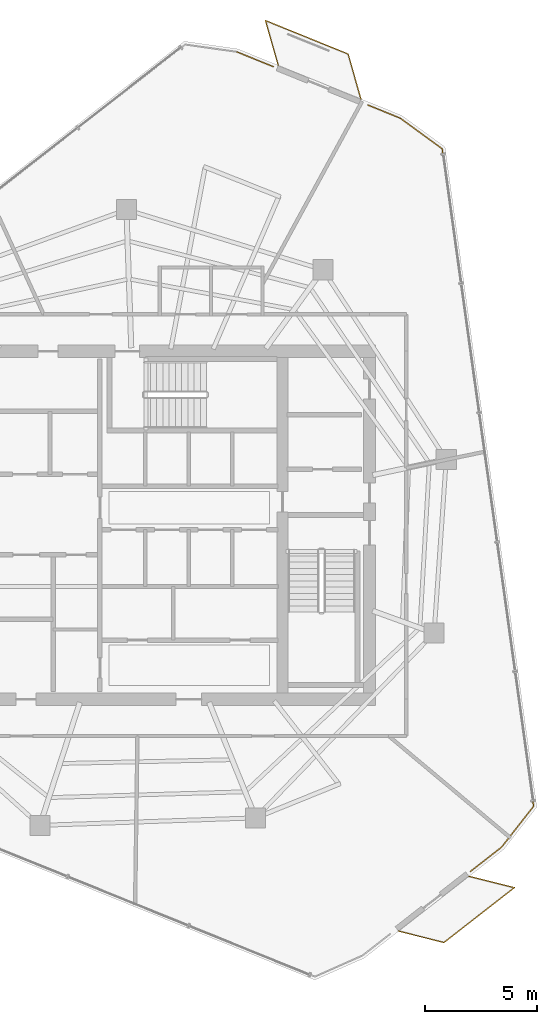
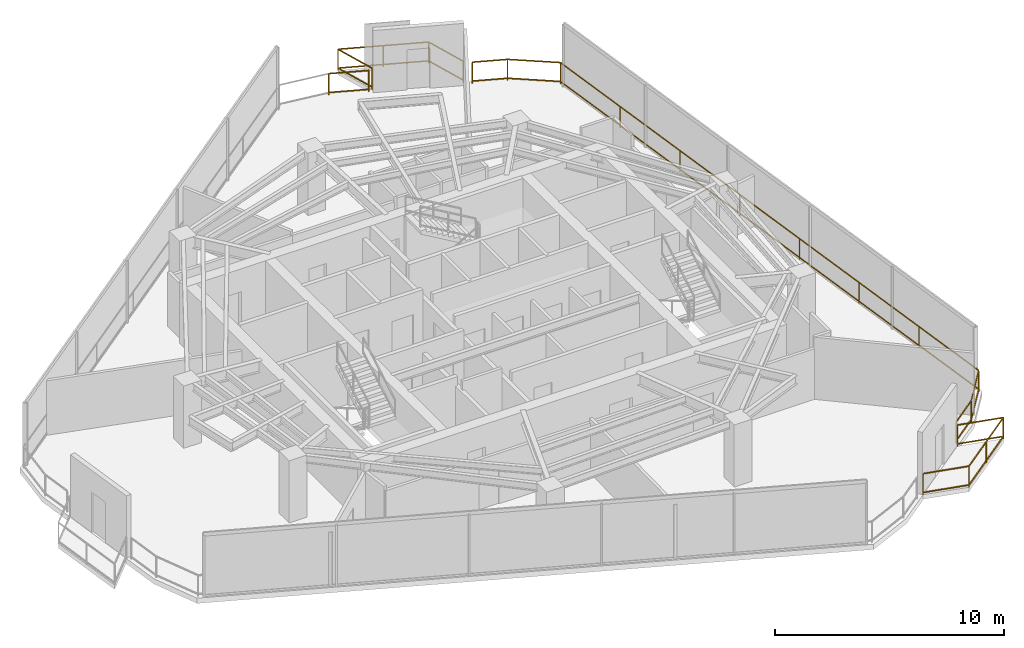
# One storey, part 19 of 19: 4 railings.
"""IFC4 building model written with IfcOpenShell, lengths in metres."""

from ifc_helpers import new_model, si_unit, direction, frame, origin, origin_2d, place, context, subcontext, project, spatial, rectangle, extrude, material, type_object, element, save


model = new_model("IFC4")

# Units and contexts
model_context = context("Model", 3, precision=1e-05, world=origin(), true_north=direction((0.0, 1.0)))
body_context = subcontext(model_context, "Body", "Model", "MODEL_VIEW")
ifc_project = project(units=[si_unit("LENGTHUNIT", "METRE"), si_unit("AREAUNIT", "SQUARE_METRE"), si_unit("VOLUMEUNIT", "CUBIC_METRE"), si_unit("PLANEANGLEUNIT", "RADIAN"), si_unit("MASSUNIT", "GRAM", prefix="KILO")], contexts=[model_context])

# Site, building, storey
site_placement = place(None, origin())
site = spatial("IfcSite", under=ifc_project, at=site_placement, CompositionType="ELEMENT")
building_placement = place(site_placement, origin())
building = spatial("IfcBuilding", under=site, at=building_placement, Name="Qarnah Convention Tower", CompositionType="ELEMENT")
storey_placement = place(building_placement, frame((0.0, 0.0, 209.39990234375)))
storey = spatial("IfcBuildingStorey", under=building, at=storey_placement, Name="L56", CompositionType="ELEMENT", Elevation=209.39990234375)

# Railings
ifc_material = material(Name="Black anodised aluminium", Category="aluminium")
railing_type = type_object("IfcRailingType", Name="RL-EXT-GUARD-1150", PredefinedType="GUARDRAIL", material=ifc_material)
railing_1_placement = place(storey_placement, frame((41.652099609375, 47.614990234375, 0.0)))
element("IfcRailing", 1, at=railing_1_placement, inside=storey, type_object=railing_type, Name="L56 slab-edge perimeter safety guard 01", PredefinedType="GUARDRAIL", context=body_context, shape_type="SweptSolid", body=[
    extrude(rectangle(XDim=0.048095703125, YDim=0.048095703125, at=origin_2d()), frame((0.0, 0.0, 1.1259765625), z_axis=(0.926607291266, -0.376030487823, 0.0), x_axis=(0.376030487823, 0.926607291266, 0.0)), (0.0, 0.0, 1.0), 1.7763671875),
    extrude(rectangle(XDim=0.048095703125, YDim=0.048095703125, at=origin_2d()), frame((0.0, 0.0, 0.1201171875), z_axis=(0.926607291266, -0.376030487823, 0.0), x_axis=(0.376030487823, 0.926607291266, 0.0)), (0.0, 0.0, 1.0), 1.7763671875),
    extrude(rectangle(XDim=0.0419921875, YDim=0.0419921875, at=origin_2d()), origin(), (0.0, 0.0, 1.0), 1.101806640625),
    extrude(rectangle(XDim=0.0419921875, YDim=0.0419921875, at=origin_2d()), frame((1.64599609375, -0.66796875, 0.0)), (0.0, 0.0, 1.0), 1.101806640625),
])
railing_2_placement = place(storey_placement, frame((47.52294921875, 45.23291015625, 0.0)))
element("IfcRailing", 2, at=railing_2_placement, inside=storey, type_object=railing_type, Name="L56 slab-edge perimeter safety guard 02", PredefinedType="GUARDRAIL", context=body_context, shape_type="SweptSolid", body=[
    extrude(rectangle(XDim=0.048095703125, YDim=0.048095703125, at=origin_2d()), frame((0.0, 0.0, 1.1259765625), z_axis=(0.926723115144, -0.375744950542, 0.0), x_axis=(0.375744950542, 0.926723115144, 0.0)), (0.0, 0.0, 1.0), 1.564697265625),
    extrude(rectangle(XDim=0.048095703125, YDim=0.048095703125, at=origin_2d()), frame((0.0, 0.0, 0.1201171875), z_axis=(0.926723115144, -0.375744950542, 0.0), x_axis=(0.375744950542, 0.926723115144, 0.0)), (0.0, 0.0, 1.0), 1.564697265625),
    extrude(rectangle(XDim=0.048095703125, YDim=0.048095703125, at=origin_2d()), frame((1.449951171875, -0.587890625, 1.1259765625), z_axis=(0.808446351309, -0.588569874403, 0.0), x_axis=(0.588569874403, 0.808446351309, 0.0)), (0.0, 0.0, 1.0), 2.332763671875),
    extrude(rectangle(XDim=0.048095703125, YDim=0.048095703125, at=origin_2d()), frame((1.449951171875, -0.587890625, 0.1201171875), z_axis=(0.808446351309, -0.588569874403, 0.0), x_axis=(0.588569874403, 0.808446351309, 0.0)), (0.0, 0.0, 1.0), 2.332763671875),
    extrude(rectangle(XDim=0.048095703125, YDim=0.048095703125, at=origin_2d()), frame((3.3359375, -1.9609375, 1.1259765625), z_axis=(0.137764024451, -0.990465079428, 0.0), x_axis=(0.990465079428, 0.137764024451, 0.0)), (0.0, 0.0, 1.0), 29.754638671875),
    extrude(rectangle(XDim=0.048095703125, YDim=0.048095703125, at=origin_2d()), frame((3.3359375, -1.9609375, 0.1201171875), z_axis=(0.137764024451, -0.990465079428, 0.0), x_axis=(0.990465079428, 0.137764024451, 0.0)), (0.0, 0.0, 1.0), 29.754638671875),
    extrude(rectangle(XDim=0.048095703125, YDim=0.048095703125, at=origin_2d()), frame((7.43505859375, -31.431884765625, 1.1259765625), z_axis=(-0.616618721827, -0.787261933471, 0.0), x_axis=(0.787261933471, -0.616618721827, 0.0)), (0.0, 0.0, 1.0), 2.33203125),
    extrude(rectangle(XDim=0.048095703125, YDim=0.048095703125, at=origin_2d()), frame((7.43505859375, -31.431884765625, 0.1201171875), z_axis=(-0.616618721827, -0.787261933471, 0.0), x_axis=(0.787261933471, -0.616618721827, 0.0)), (0.0, 0.0, 1.0), 2.33203125),
    extrude(rectangle(XDim=0.048095703125, YDim=0.048095703125, at=origin_2d()), frame((5.9970703125, -33.267822265625, 1.1259765625), z_axis=(-0.788730190995, -0.614739526803, 0.0), x_axis=(0.614739526803, -0.788730190995, 0.0)), (0.0, 0.0, 1.0), 1.7763671875),
    extrude(rectangle(XDim=0.048095703125, YDim=0.048095703125, at=origin_2d()), frame((5.9970703125, -33.267822265625, 0.1201171875), z_axis=(-0.788730190995, -0.614739526803, 0.0), x_axis=(0.614739526803, -0.788730190995, 0.0)), (0.0, 0.0, 1.0), 1.7763671875),
    extrude(rectangle(XDim=0.0419921875, YDim=0.0419921875, at=origin_2d()), origin(), (0.0, 0.0, 1.0), 1.101806640625),
    extrude(rectangle(XDim=0.0419921875, YDim=0.0419921875, at=origin_2d()), frame((1.449951171875, -0.587890625, 0.0)), (0.0, 0.0, 1.0), 1.101806640625),
    extrude(rectangle(XDim=0.0419921875, YDim=0.0419921875, at=origin_2d()), frame((3.3359375, -1.9609375, 0.0)), (0.0, 0.0, 1.0), 1.101806640625),
    extrude(rectangle(XDim=0.0419921875, YDim=0.0419921875, at=origin_2d()), frame((3.921630859375, -6.171142578125, 0.0)), (0.0, 0.0, 1.0), 1.101806640625),
    extrude(rectangle(XDim=0.0419921875, YDim=0.0419921875, at=origin_2d()), frame((4.507080078125, -10.381103515625, 0.0)), (0.0, 0.0, 1.0), 1.101806640625),
    extrude(rectangle(XDim=0.0419921875, YDim=0.0419921875, at=origin_2d()), frame((5.0927734375, -14.59130859375, 0.0)), (0.0, 0.0, 1.0), 1.101806640625),
    extrude(rectangle(XDim=0.0419921875, YDim=0.0419921875, at=origin_2d()), frame((5.67822265625, -18.801513671875, 0.0)), (0.0, 0.0, 1.0), 1.101806640625),
    extrude(rectangle(XDim=0.0419921875, YDim=0.0419921875, at=origin_2d()), frame((6.263916015625, -23.01171875, 0.0)), (0.0, 0.0, 1.0), 1.101806640625),
    extrude(rectangle(XDim=0.0419921875, YDim=0.0419921875, at=origin_2d()), frame((6.849365234375, -27.2216796875, 0.0)), (0.0, 0.0, 1.0), 1.101806640625),
    extrude(rectangle(XDim=0.0419921875, YDim=0.0419921875, at=origin_2d()), frame((7.43505859375, -31.431884765625, 0.0)), (0.0, 0.0, 1.0), 1.101806640625),
    extrude(rectangle(XDim=0.0419921875, YDim=0.0419921875, at=origin_2d()), frame((5.9970703125, -33.267822265625, 0.0)), (0.0, 0.0, 1.0), 1.101806640625),
    extrude(rectangle(XDim=0.0419921875, YDim=0.0419921875, at=origin_2d()), frame((4.595947265625, -34.35986328125, 0.0)), (0.0, 0.0, 1.0), 1.101806640625),
])
railing_3_placement = place(storey_placement, frame((43.510009765625, 47.007080078125, 0.0)))
element("IfcRailing", 3, at=railing_3_placement, inside=storey, type_object=railing_type, Name="L56 balcony safety guard BAL-L56-C1", PredefinedType="GUARDRAIL", context=body_context, shape_type="SweptSolid", body=[
    extrude(rectangle(XDim=0.048095703125, YDim=0.048095703125, at=origin_2d()), frame((0.0, 0.0, 1.1259765625), z_axis=(-0.274212729826, 0.961669058877, 0.0), x_axis=(-0.961669058877, -0.274212729826, 0.0)), (0.0, 0.0, 1.0), 2.09326171875),
    extrude(rectangle(XDim=0.048095703125, YDim=0.048095703125, at=origin_2d()), frame((0.0, 0.0, 0.1201171875), z_axis=(-0.274212729826, 0.961669058877, 0.0), x_axis=(-0.961669058877, -0.274212729826, 0.0)), (0.0, 0.0, 1.0), 2.09326171875),
    extrude(rectangle(XDim=0.048095703125, YDim=0.048095703125, at=origin_2d()), frame((-0.573974609375, 2.012939453125, 1.1259765625), z_axis=(0.926732375955, -0.375722109219, 0.0), x_axis=(0.375722109219, 0.926732375955, 0.0)), (0.0, 0.0, 1.0), 4.0),
    extrude(rectangle(XDim=0.048095703125, YDim=0.048095703125, at=origin_2d()), frame((-0.573974609375, 2.012939453125, 0.1201171875), z_axis=(0.926732375955, -0.375722109219, 0.0), x_axis=(0.375722109219, 0.926732375955, 0.0)), (0.0, 0.0, 1.0), 4.0),
    extrude(rectangle(XDim=0.048095703125, YDim=0.048095703125, at=origin_2d()), frame((3.133056640625, 0.510009765625, 1.1259765625), z_axis=(0.274059026015, -0.961712873086, 0.0), x_axis=(0.961712873086, 0.274059026015, 0.0)), (0.0, 0.0, 1.0), 2.09423828125),
    extrude(rectangle(XDim=0.048095703125, YDim=0.048095703125, at=origin_2d()), frame((3.133056640625, 0.510009765625, 0.1201171875), z_axis=(0.274059026015, -0.961712873086, 0.0), x_axis=(0.961712873086, 0.274059026015, 0.0)), (0.0, 0.0, 1.0), 2.09423828125),
    extrude(rectangle(XDim=0.0419921875, YDim=0.0419921875, at=origin_2d()), origin(), (0.0, 0.0, 1.0), 1.101806640625),
    extrude(rectangle(XDim=0.0419921875, YDim=0.0419921875, at=origin_2d()), frame((-0.573974609375, 2.012939453125, 0.0)), (0.0, 0.0, 1.0), 1.101806640625),
    extrude(rectangle(XDim=0.0419921875, YDim=0.0419921875, at=origin_2d()), frame((1.279541015625, 1.261474609375, 0.0)), (0.0, 0.0, 1.0), 1.101806640625),
    extrude(rectangle(XDim=0.0419921875, YDim=0.0419921875, at=origin_2d()), frame((3.133056640625, 0.510009765625, 0.0)), (0.0, 0.0, 1.0), 1.101806640625),
    extrude(rectangle(XDim=0.0419921875, YDim=0.0419921875, at=origin_2d()), frame((3.70703125, -1.504150390625, 0.0)), (0.0, 0.0, 1.0), 1.101806640625),
])
railing_4_placement = place(storey_placement, frame((52.06396484375, 10.659912109375, 0.0)))
element("IfcRailing", 4, at=railing_4_placement, inside=storey, type_object=railing_type, Name="L56 balcony safety guard BAL-L56-C3", PredefinedType="GUARDRAIL", context=body_context, shape_type="SweptSolid", body=[
    extrude(rectangle(XDim=0.048095703125, YDim=0.048095703125, at=origin_2d()), frame((0.0, 0.0, 1.1259765625), z_axis=(0.969888220756, -0.243550486015, 0.0), x_axis=(0.243550486015, 0.969888220756, 0.0)), (0.0, 0.0, 1.0), 2.093994140625),
    extrude(rectangle(XDim=0.048095703125, YDim=0.048095703125, at=origin_2d()), frame((0.0, 0.0, 0.1201171875), z_axis=(0.969888220756, -0.243550486015, 0.0), x_axis=(0.243550486015, 0.969888220756, 0.0)), (0.0, 0.0, 1.0), 2.093994140625),
    extrude(rectangle(XDim=0.048095703125, YDim=0.048095703125, at=origin_2d()), frame((2.031005859375, -0.510009765625, 1.1259765625), z_axis=(-0.788855634811, -0.614578544555, 0.0), x_axis=(0.614578544555, -0.788855634811, 0.0)), (0.0, 0.0, 1.0), 3.99951171875),
    extrude(rectangle(XDim=0.048095703125, YDim=0.048095703125, at=origin_2d()), frame((2.031005859375, -0.510009765625, 0.1201171875), z_axis=(-0.788855634811, -0.614578544555, 0.0), x_axis=(0.614578544555, -0.788855634811, 0.0)), (0.0, 0.0, 1.0), 3.99951171875),
    extrude(rectangle(XDim=0.048095703125, YDim=0.048095703125, at=origin_2d()), frame((-1.1240234375, -2.968017578125, 1.1259765625), z_axis=(-0.969888220756, 0.243550486015, 0.0), x_axis=(-0.243550486015, -0.969888220756, 0.0)), (0.0, 0.0, 1.0), 2.093994140625),
    extrude(rectangle(XDim=0.048095703125, YDim=0.048095703125, at=origin_2d()), frame((-1.1240234375, -2.968017578125, 0.1201171875), z_axis=(-0.969888220756, 0.243550486015, 0.0), x_axis=(-0.243550486015, -0.969888220756, 0.0)), (0.0, 0.0, 1.0), 2.093994140625),
    extrude(rectangle(XDim=0.0419921875, YDim=0.0419921875, at=origin_2d()), origin(), (0.0, 0.0, 1.0), 1.101806640625),
    extrude(rectangle(XDim=0.0419921875, YDim=0.0419921875, at=origin_2d()), frame((2.031005859375, -0.510009765625, 0.0)), (0.0, 0.0, 1.0), 1.101806640625),
    extrude(rectangle(XDim=0.0419921875, YDim=0.0419921875, at=origin_2d()), frame((0.45361328125, -1.739013671875, 0.0)), (0.0, 0.0, 1.0), 1.101806640625),
    extrude(rectangle(XDim=0.0419921875, YDim=0.0419921875, at=origin_2d()), frame((-1.1240234375, -2.968017578125, 0.0)), (0.0, 0.0, 1.0), 1.101806640625),
    extrude(rectangle(XDim=0.0419921875, YDim=0.0419921875, at=origin_2d()), frame((-3.155029296875, -2.4580078125, 0.0)), (0.0, 0.0, 1.0), 1.101806640625),
])

save(model, "model.ifc")
